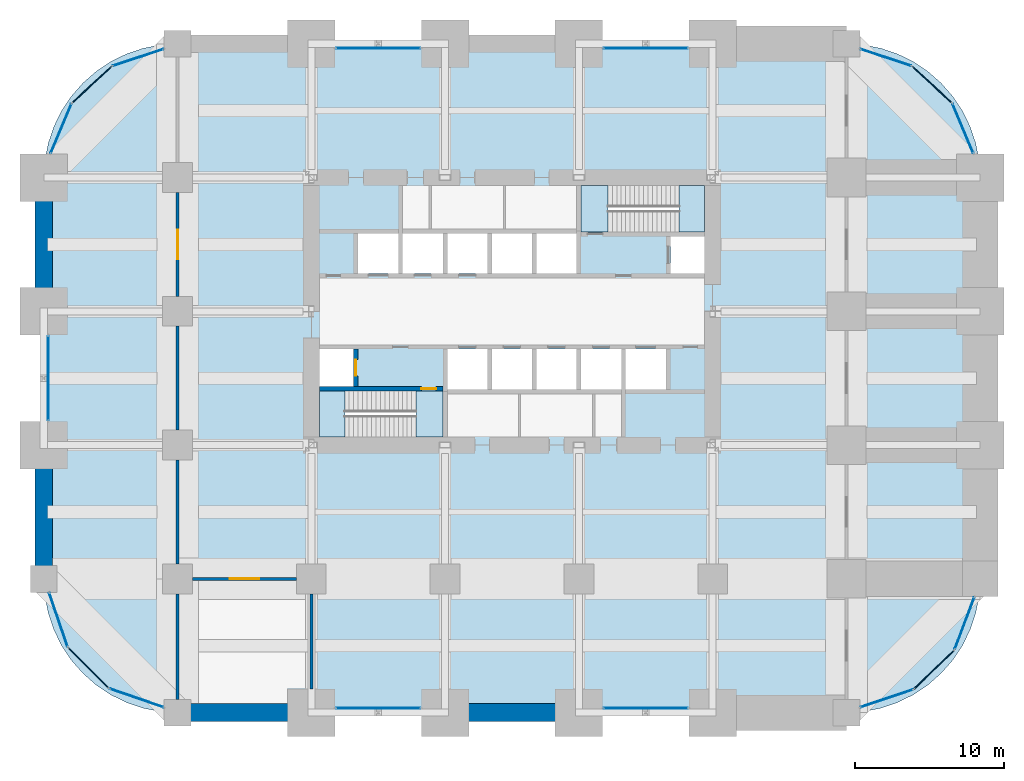
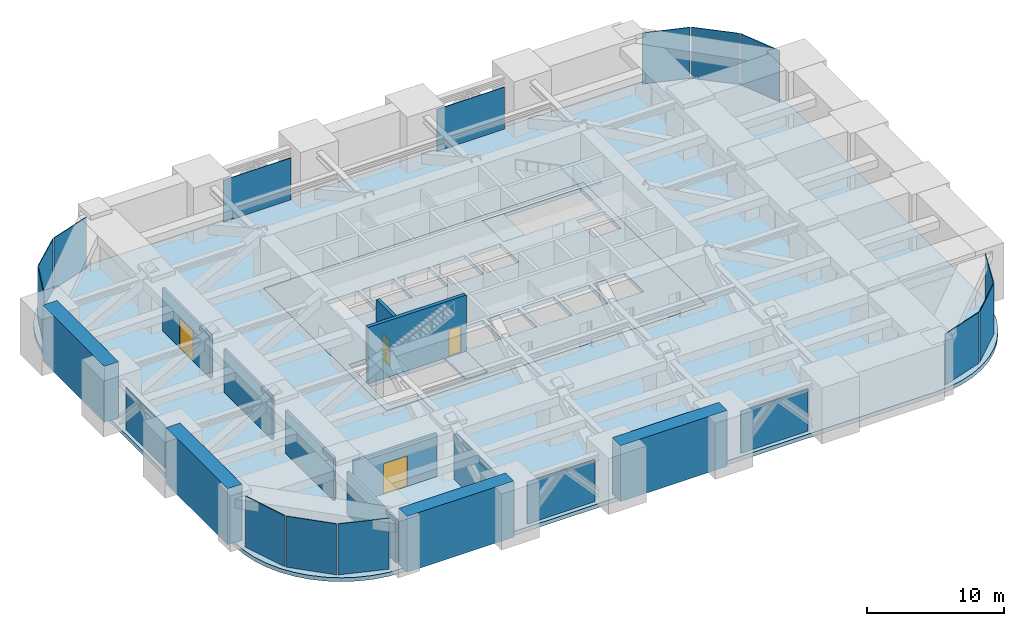
# One storey, part 35 of 38: 17 plates, 12 walls, 6 slabs, 4 doors, 4 openings, 19 elements without a shape of their own.
"""IFC4 building model written with IfcOpenShell, lengths in metres."""

from ifc_helpers import new_model, si_unit, direction, frame, frame_2d, origin, origin_2d, place, context, subcontext, project, spatial, polyline, rectangle, outline, extrude, material, layer, layer_set, type_object, element, fill, aggregate, save


model = new_model("IFC4")

# Units and contexts
model_context = context("Model", 3, precision=1e-05, world=origin(), true_north=direction((0.0, 1.0)))
body_context = subcontext(model_context, "Body", "Model", "MODEL_VIEW")
ifc_project = project(units=[si_unit("LENGTHUNIT", "METRE"), si_unit("AREAUNIT", "SQUARE_METRE"), si_unit("VOLUMEUNIT", "CUBIC_METRE"), si_unit("PLANEANGLEUNIT", "RADIAN"), si_unit("MASSUNIT", "GRAM", prefix="KILO")], contexts=[model_context])

# Site, building, storey
site_placement = place(None, origin())
site = spatial("IfcSite", under=ifc_project, at=site_placement, CompositionType="ELEMENT")
building_placement = place(site_placement, origin())
building = spatial("IfcBuilding", under=site, at=building_placement, Name="Zorevar Civic Tower", CompositionType="ELEMENT")
storey_placement = place(building_placement, frame((0.0, 0.0, 157.199951171875)))
storey = spatial("IfcBuildingStorey", under=building, at=storey_placement, Name="L38", CompositionType="ELEMENT", Elevation=157.199951171875)

# Curtain wall, plate
ifc_material_1 = material(Name="Black aluminium louvres", Category="aluminium")
curtain_wall_type = type_object("IfcCurtainWallType", Name="Louvred curtain wall CW6 refuge", PredefinedType="NOTDEFINED", material=ifc_material_1)
curtain_wall_1_placement = place(storey_placement, origin())
curtain_wall_1 = element("IfcCurtainWall", 1, at=curtain_wall_1_placement, inside=storey, type_object=curtain_wall_type, Name="CW6 L38", PredefinedType="NOTDEFINED")
ifc_material_2 = material(Name="Black aluminium louvre blades", Category="aluminium")
ifc_layer_1 = layer(ifc_material_2, 0.06005859375)
ifc_layer_set_1 = layer_set([ifc_layer_1], Name="CW6 panel 60")
plate_type = type_object("IfcPlateType", Name="CW6 panel 60", PredefinedType="CURTAIN_PANEL", material=ifc_layer_set_1)
plate_1_placement = place(storey_placement, frame((22.5, 0.300048828125, 0.06005859375), z_axis=(0.0, 0.0, 1.0), x_axis=(1.0, 0.0, 0.0)))
plate_1 = element("IfcPlate", 2, at=plate_1_placement, type_object=plate_type, Name="CW6 panel 1.1", PredefinedType="CURTAIN_PANEL", context=body_context, shape_type="SweptSolid", body=[
    extrude(rectangle(XDim=5.679931640625, YDim=0.06005859375, at=origin_2d()), origin(), (0.0, 0.0, 1.0), 3.739990234375),
])
aggregate(curtain_wall_1, [plate_1])

curtain_wall_2_placement = place(storey_placement, origin())
curtain_wall_2 = element("IfcCurtainWall", 3, at=curtain_wall_2_placement, inside=storey, type_object=curtain_wall_type, Name="CW6 L38", PredefinedType="NOTDEFINED")
plate_2_placement = place(storey_placement, frame((22.5, 44.699951171875, 0.06005859375), z_axis=(0.0, 0.0, 1.0), x_axis=(1.0, 0.0, 0.0)))
plate_2 = element("IfcPlate", 4, at=plate_2_placement, type_object=plate_type, Name="CW6 panel 1.1", PredefinedType="CURTAIN_PANEL", context=body_context, shape_type="SweptSolid", body=[
    extrude(rectangle(XDim=5.679931640625, YDim=0.06005859375, at=origin_2d()), origin(), (0.0, 0.0, 1.0), 3.739990234375),
])
aggregate(curtain_wall_2, [plate_2])

curtain_wall_3_placement = place(storey_placement, origin())
curtain_wall_3 = element("IfcCurtainWall", 5, at=curtain_wall_3_placement, inside=storey, type_object=curtain_wall_type, Name="CW6 L38", PredefinedType="NOTDEFINED")
plate_3_placement = place(storey_placement, frame((40.5, 0.300048828125, 0.06005859375), z_axis=(0.0, 0.0, 1.0), x_axis=(1.0, 0.0, 0.0)))
plate_3 = element("IfcPlate", 6, at=plate_3_placement, type_object=plate_type, Name="CW6 panel 1.1", PredefinedType="CURTAIN_PANEL", context=body_context, shape_type="SweptSolid", body=[
    extrude(rectangle(XDim=5.679931640625, YDim=0.06005859375, at=origin_2d()), origin(), (0.0, 0.0, 1.0), 3.739990234375),
])
aggregate(curtain_wall_3, [plate_3])

curtain_wall_4_placement = place(storey_placement, origin())
curtain_wall_4 = element("IfcCurtainWall", 7, at=curtain_wall_4_placement, inside=storey, type_object=curtain_wall_type, Name="CW6 L38", PredefinedType="NOTDEFINED")
plate_4_placement = place(storey_placement, frame((40.5, 44.699951171875, 0.06005859375), z_axis=(0.0, 0.0, 1.0), x_axis=(1.0, 0.0, 0.0)))
plate_4 = element("IfcPlate", 8, at=plate_4_placement, type_object=plate_type, Name="CW6 panel 1.1", PredefinedType="CURTAIN_PANEL", context=body_context, shape_type="SweptSolid", body=[
    extrude(rectangle(XDim=5.679931640625, YDim=0.06005859375, at=origin_2d()), origin(), (0.0, 0.0, 1.0), 3.739990234375),
])
aggregate(curtain_wall_4, [plate_4])

curtain_wall_5_placement = place(storey_placement, origin())
curtain_wall_5 = element("IfcCurtainWall", 9, at=curtain_wall_5_placement, inside=storey, type_object=curtain_wall_type, Name="CW6 L38", PredefinedType="NOTDEFINED")
plate_5_placement = place(storey_placement, frame((0.300048828125, 22.5, 0.06005859375), z_axis=(0.0, 0.0, 1.0), x_axis=(0.0, 1.0, 0.0)))
plate_5 = element("IfcPlate", 10, at=plate_5_placement, type_object=plate_type, Name="CW6 panel 1.1", PredefinedType="CURTAIN_PANEL", context=body_context, shape_type="SweptSolid", body=[
    extrude(rectangle(XDim=5.679931640625, YDim=0.06005859375, at=origin_2d()), origin(), (0.0, 0.0, 1.0), 3.739990234375),
])
aggregate(curtain_wall_5, [plate_5])

curtain_wall_6_placement = place(storey_placement, origin())
curtain_wall_6 = element("IfcCurtainWall", 11, at=curtain_wall_6_placement, inside=storey, type_object=curtain_wall_type, Name="CW6 L38", PredefinedType="NOTDEFINED")
plate_6_placement = place(storey_placement, frame((56.7109375, 0.95703125, 0.06005859375), z_axis=(0.0, 0.0, 1.0), x_axis=(0.947615765406, 0.319412525043, 0.0)))
plate_6 = element("IfcPlate", 12, at=plate_6_placement, type_object=plate_type, Name="CW6 panel 1.1", PredefinedType="CURTAIN_PANEL", context=body_context, shape_type="SweptSolid", body=[
    extrude(rectangle(XDim=3.7021484375, YDim=0.06005859375, at=origin_2d()), origin(), (0.0, 0.0, 1.0), 4.5400390625),
])
aggregate(curtain_wall_6, [plate_6])

curtain_wall_7_placement = place(storey_placement, origin())
curtain_wall_7 = element("IfcCurtainWall", 13, at=curtain_wall_7_placement, inside=storey, type_object=curtain_wall_type, Name="CW6 L38", PredefinedType="NOTDEFINED")
plate_7_placement = place(storey_placement, frame((59.896484375, 2.89501953125, 0.06005859375), z_axis=(0.0, 0.0, 1.0), x_axis=(0.719281160023, 0.694719089155, 0.0)))
plate_7 = element("IfcPlate", 14, at=plate_7_placement, type_object=plate_type, Name="CW6 panel 1.1", PredefinedType="CURTAIN_PANEL", context=body_context, shape_type="SweptSolid", body=[
    extrude(rectangle(XDim=3.7021484375, YDim=0.06005859375, at=origin_2d()), origin(), (0.0, 0.0, 1.0), 4.5400390625),
])
aggregate(curtain_wall_7, [plate_7])

curtain_wall_8_placement = place(storey_placement, origin())
curtain_wall_8 = element("IfcCurtainWall", 15, at=curtain_wall_8_placement, inside=storey, type_object=curtain_wall_type, Name="CW6 L38", PredefinedType="NOTDEFINED")
plate_8_placement = place(storey_placement, frame((61.94384765625, 6.011474609375, 0.06005859375), z_axis=(0.0, 0.0, 1.0), x_axis=(0.352131520999, 0.935950528564, 0.0)))
plate_8 = element("IfcPlate", 16, at=plate_8_placement, type_object=plate_type, Name="CW6 panel 1.1", PredefinedType="CURTAIN_PANEL", context=body_context, shape_type="SweptSolid", body=[
    extrude(rectangle(XDim=3.7021484375, YDim=0.06005859375, at=origin_2d()), origin(), (0.0, 0.0, 1.0), 4.5400390625),
])
aggregate(curtain_wall_8, [plate_8])

curtain_wall_9_placement = place(storey_placement, origin())
curtain_wall_9 = element("IfcCurtainWall", 17, at=curtain_wall_9_placement, inside=storey, type_object=curtain_wall_type, Name="CW6 L38", PredefinedType="NOTDEFINED")
plate_9_placement = place(storey_placement, frame((61.83544921875, 39.30029296875, 0.06005859375), z_axis=(0.0, 0.0, 1.0), x_axis=(-0.388184349349, 0.921581744025, 0.0)))
plate_9 = element("IfcPlate", 18, at=plate_9_placement, type_object=plate_type, Name="CW6 panel 1.1", PredefinedType="CURTAIN_PANEL", context=body_context, shape_type="SweptSolid", body=[
    extrude(rectangle(XDim=3.570068359375, YDim=0.06005859375, at=origin_2d()), origin(), (0.0, 0.0, 1.0), 4.5400390625),
])
aggregate(curtain_wall_9, [plate_9])

curtain_wall_10_placement = place(storey_placement, origin())
curtain_wall_10 = element("IfcCurtainWall", 19, at=curtain_wall_10_placement, inside=storey, type_object=curtain_wall_type, Name="CW6 L38", PredefinedType="NOTDEFINED")
plate_10_placement = place(storey_placement, frame((59.762451171875, 42.251220703125, 0.06005859375), z_axis=(0.0, 0.0, 1.0), x_axis=(-0.7352671134, 0.677777450165, 0.0)))
plate_10 = element("IfcPlate", 20, at=plate_10_placement, type_object=plate_type, Name="CW6 panel 1.1", PredefinedType="CURTAIN_PANEL", context=body_context, shape_type="SweptSolid", body=[
    extrude(rectangle(XDim=3.570068359375, YDim=0.06005859375, at=origin_2d()), origin(), (0.0, 0.0, 1.0), 4.5400390625),
])
aggregate(curtain_wall_10, [plate_10])

curtain_wall_11_placement = place(storey_placement, origin())
curtain_wall_11 = element("IfcCurtainWall", 21, at=curtain_wall_11_placement, inside=storey, type_object=curtain_wall_type, Name="CW6 L38", PredefinedType="NOTDEFINED")
plate_11_placement = place(storey_placement, frame((56.65283203125, 44.07763671875, 0.06005859375), z_axis=(0.0, 0.0, 1.0), x_axis=(-0.950070156117, 0.31203637361, 0.0)))
plate_11 = element("IfcPlate", 22, at=plate_11_placement, type_object=plate_type, Name="CW6 panel 1.1", PredefinedType="CURTAIN_PANEL", context=body_context, shape_type="SweptSolid", body=[
    extrude(rectangle(XDim=3.570068359375, YDim=0.06005859375, at=origin_2d()), origin(), (0.0, 0.0, 1.0), 4.5400390625),
])
aggregate(curtain_wall_11, [plate_11])

curtain_wall_12_placement = place(storey_placement, origin())
curtain_wall_12 = element("IfcCurtainWall", 23, at=curtain_wall_12_placement, inside=storey, type_object=curtain_wall_type, Name="CW6 L38", PredefinedType="NOTDEFINED")
plate_12_placement = place(storey_placement, frame((6.34716796875, 44.07763671875, 0.06005859375), z_axis=(0.0, 0.0, 1.0), x_axis=(-0.950070156117, -0.31203637361, 0.0)))
plate_12 = element("IfcPlate", 24, at=plate_12_placement, type_object=plate_type, Name="CW6 panel 1.1", PredefinedType="CURTAIN_PANEL", context=body_context, shape_type="SweptSolid", body=[
    extrude(rectangle(XDim=3.570068359375, YDim=0.06005859375, at=origin_2d()), origin(), (0.0, 0.0, 1.0), 4.5400390625),
])
aggregate(curtain_wall_12, [plate_12])

curtain_wall_13_placement = place(storey_placement, origin())
curtain_wall_13 = element("IfcCurtainWall", 25, at=curtain_wall_13_placement, inside=storey, type_object=curtain_wall_type, Name="CW6 L38", PredefinedType="NOTDEFINED")
plate_13_placement = place(storey_placement, frame((3.237548828125, 42.251220703125, 0.06005859375), z_axis=(0.0, 0.0, 1.0), x_axis=(-0.7352671134, -0.677777450165, 0.0)))
plate_13 = element("IfcPlate", 26, at=plate_13_placement, type_object=plate_type, Name="CW6 panel 1.1", PredefinedType="CURTAIN_PANEL", context=body_context, shape_type="SweptSolid", body=[
    extrude(rectangle(XDim=3.570068359375, YDim=0.06005859375, at=origin_2d()), origin(), (0.0, 0.0, 1.0), 4.5400390625),
])
aggregate(curtain_wall_13, [plate_13])

curtain_wall_14_placement = place(storey_placement, origin())
curtain_wall_14 = element("IfcCurtainWall", 27, at=curtain_wall_14_placement, inside=storey, type_object=curtain_wall_type, Name="CW6 L38", PredefinedType="NOTDEFINED")
plate_14_placement = place(storey_placement, frame((1.16455078125, 39.30029296875, 0.06005859375), z_axis=(0.0, 0.0, 1.0), x_axis=(-0.388184349349, -0.921581744025, 0.0)))
plate_14 = element("IfcPlate", 28, at=plate_14_placement, type_object=plate_type, Name="CW6 panel 1.1", PredefinedType="CURTAIN_PANEL", context=body_context, shape_type="SweptSolid", body=[
    extrude(rectangle(XDim=3.570068359375, YDim=0.06005859375, at=origin_2d()), origin(), (0.0, 0.0, 1.0), 4.5400390625),
])
aggregate(curtain_wall_14, [plate_14])

curtain_wall_15_placement = place(storey_placement, origin())
curtain_wall_15 = element("IfcCurtainWall", 29, at=curtain_wall_15_placement, inside=storey, type_object=curtain_wall_type, Name="CW6 L38", PredefinedType="NOTDEFINED")
plate_15_placement = place(storey_placement, frame((0.9833984375, 6.24609375, 0.06005859375), z_axis=(0.0, 0.0, 1.0), x_axis=(0.324878466857, -0.945755772794, 0.0)))
plate_15 = element("IfcPlate", 30, at=plate_15_placement, type_object=plate_type, Name="CW6 panel 1.1", PredefinedType="CURTAIN_PANEL", context=body_context, shape_type="SweptSolid", body=[
    extrude(rectangle(XDim=3.80029296875, YDim=0.06005859375, at=origin_2d()), origin(), (0.0, 0.0, 1.0), 4.5400390625),
])
aggregate(curtain_wall_15, [plate_15])

curtain_wall_16_placement = place(storey_placement, origin())
curtain_wall_16 = element("IfcCurtainWall", 31, at=curtain_wall_16_placement, inside=storey, type_object=curtain_wall_type, Name="CW6 L38", PredefinedType="NOTDEFINED")
plate_16_placement = place(storey_placement, frame((3.00634765625, 3.00634765625, 0.06005859375), z_axis=(0.0, 0.0, 1.0), x_axis=(0.707106781187, -0.707106781187, 0.0)))
plate_16 = element("IfcPlate", 32, at=plate_16_placement, type_object=plate_type, Name="CW6 panel 1.1", PredefinedType="CURTAIN_PANEL", context=body_context, shape_type="SweptSolid", body=[
    extrude(rectangle(XDim=3.80029296875, YDim=0.06005859375, at=origin_2d()), origin(), (0.0, 0.0, 1.0), 4.5400390625),
])
aggregate(curtain_wall_16, [plate_16])

curtain_wall_17_placement = place(storey_placement, origin())
curtain_wall_17 = element("IfcCurtainWall", 33, at=curtain_wall_17_placement, inside=storey, type_object=curtain_wall_type, Name="CW6 L38", PredefinedType="NOTDEFINED")
plate_17_placement = place(storey_placement, frame((6.24609375, 0.9833984375, 0.06005859375), z_axis=(0.0, 0.0, 1.0), x_axis=(0.945755772794, -0.324878466857, 0.0)))
plate_17 = element("IfcPlate", 34, at=plate_17_placement, type_object=plate_type, Name="CW6 panel 1.1", PredefinedType="CURTAIN_PANEL", context=body_context, shape_type="SweptSolid", body=[
    extrude(rectangle(XDim=3.80029296875, YDim=0.06005859375, at=origin_2d()), origin(), (0.0, 0.0, 1.0), 4.5400390625),
])
aggregate(curtain_wall_17, [plate_17])

# Slabs
ifc_material_3 = material(Name="Concrete C40/50", Category="concrete")
ifc_layer_2 = layer(ifc_material_3, 0.35009765625)
ifc_layer_set_2 = layer_set([ifc_layer_2], Name="Floor slab 350")
slab_type_1 = type_object("IfcSlabType", Name="Floor slab 350", PredefinedType="FLOOR", material=ifc_layer_set_2)
slab_1_placement = place(storey_placement, frame((0.0, 0.0, -0.349853515625)))
element("IfcSlab", 35, at=slab_1_placement, inside=storey, type_object=slab_type_1, Name="Floor slab L38", PredefinedType="FLOOR", context=body_context, shape_type="SweptSolid", body=[
    extrude(outline(polyline([(54.0, 0.0), (55.1748046875, 0.076904296875), (56.329345703125, 0.306640625), (57.444091796875, 0.68505859375), (58.5, 1.205810546875), (59.478759765625, 1.85986328125), (60.364013671875, 2.635986328125), (61.14013671875, 3.521240234375), (61.794189453125, 4.5), (62.31494140625, 5.555908203125), (62.693359375, 6.670654296875), (62.923095703125, 7.8251953125), (63.0, 9.0), (63.0, 36.0), (62.923095703125, 37.1748046875), (62.693359375, 38.329345703125), (62.31494140625, 39.444091796875), (61.794189453125, 40.5), (61.14013671875, 41.478759765625), (60.364013671875, 42.364013671875), (59.478759765625, 43.14013671875), (58.5, 43.794189453125), (57.444091796875, 44.31494140625), (56.329345703125, 44.693359375), (55.1748046875, 44.923095703125), (54.0, 45.0), (9.0, 45.0), (7.8251953125, 44.923095703125), (6.670654296875, 44.693359375), (5.555908203125, 44.31494140625), (4.5, 43.794189453125), (3.521240234375, 43.14013671875), (2.635986328125, 42.364013671875), (1.85986328125, 41.478759765625), (1.205810546875, 40.5), (0.68505859375, 39.444091796875), (0.306640625, 38.329345703125), (0.076904296875, 37.1748046875), (0.0, 36.0), (0.0, 9.0), (0.076904296875, 7.8251953125), (0.306640625, 6.670654296875), (0.68505859375, 5.555908203125), (1.205810546875, 4.5), (1.85986328125, 3.521240234375), (2.635986328125, 2.635986328125), (3.521240234375, 1.85986328125), (4.5, 1.205810546875), (5.555908203125, 0.68505859375), (6.670654296875, 0.306640625), (7.8251953125, 0.076904296875), (9.0, 0.0), (54.0, 0.0)]), holes=[polyline([(18.0, 18.0), (45.0, 18.0), (45.0, 36.0), (18.0, 36.0), (18.0, 18.0)])]), origin(), (0.0, 0.0, 1.0), 0.349853515625),
])
slab_2_placement = place(storey_placement, frame((0.0, 0.0, -0.349853515625)))
element("IfcSlab", 36, at=slab_2_placement, inside=storey, type_object=slab_type_1, Name="Core floor L38", PredefinedType="FLOOR", context=body_context, shape_type="SweptSolid", body=[
    extrude(outline(polyline([(18.0, 18.0), (45.0, 18.0), (45.0, 36.0), (18.0, 36.0), (18.0, 18.0)]), holes=[polyline([(18.550048828125, 18.550048828125), (26.85009765625, 18.550048828125), (26.85009765625, 21.64990234375), (18.550048828125, 21.64990234375), (18.550048828125, 18.550048828125)]), polyline([(36.14990234375, 32.35009765625), (44.449951171875, 32.35009765625), (44.449951171875, 35.449951171875), (36.14990234375, 35.449951171875), (36.14990234375, 32.35009765625)]), polyline([(18.550048828125, 21.949951171875), (20.85009765625, 21.949951171875), (20.85009765625, 24.449951171875), (18.550048828125, 24.449951171875), (18.550048828125, 21.949951171875)]), polyline([(42.14990234375, 29.550048828125), (44.449951171875, 29.550048828125), (44.449951171875, 32.050048828125), (42.14990234375, 32.050048828125), (42.14990234375, 29.550048828125)]), polyline([(27.14990234375, 21.75), (29.85009765625, 21.75), (29.85009765625, 24.449951171875), (27.14990234375, 24.449951171875), (27.14990234375, 21.75)]), polyline([(33.14990234375, 29.550048828125), (35.85009765625, 29.550048828125), (35.85009765625, 32.25), (33.14990234375, 32.25), (33.14990234375, 29.550048828125)]), polyline([(30.14990234375, 21.75), (32.85009765625, 21.75), (32.85009765625, 24.449951171875), (30.14990234375, 24.449951171875), (30.14990234375, 21.75)]), polyline([(30.14990234375, 29.550048828125), (32.85009765625, 29.550048828125), (32.85009765625, 32.25), (30.14990234375, 32.25), (30.14990234375, 29.550048828125)]), polyline([(33.14990234375, 21.75), (35.85009765625, 21.75), (35.85009765625, 24.449951171875), (33.14990234375, 24.449951171875), (33.14990234375, 21.75)]), polyline([(27.14990234375, 29.550048828125), (29.85009765625, 29.550048828125), (29.85009765625, 32.25), (27.14990234375, 32.25), (27.14990234375, 29.550048828125)]), polyline([(36.14990234375, 21.75), (38.85009765625, 21.75), (38.85009765625, 24.449951171875), (36.14990234375, 24.449951171875), (36.14990234375, 21.75)]), polyline([(24.14990234375, 29.550048828125), (26.85009765625, 29.550048828125), (26.85009765625, 32.25), (24.14990234375, 32.25), (24.14990234375, 29.550048828125)]), polyline([(39.14990234375, 21.75), (41.85009765625, 21.75), (41.85009765625, 24.449951171875), (39.14990234375, 24.449951171875), (39.14990234375, 21.75)]), polyline([(21.14990234375, 29.550048828125), (23.85009765625, 29.550048828125), (23.85009765625, 32.25), (21.14990234375, 32.25), (21.14990234375, 29.550048828125)])]), origin(), (0.0, 0.0, 1.0), 0.349853515625),
])

# Stair, slabs
ifc_material_4 = material(Name="Precast concrete C40/50", Category="concrete")
stair_type = type_object("IfcStairType", Name="Stair ST 34R", PredefinedType="HALF_TURN_STAIR", material=ifc_material_4)
stair_1_placement = place(storey_placement, origin())
stair_1 = element("IfcStair", 37, at=stair_1_placement, inside=storey, type_object=stair_type, Name="Stair ST1 L38", PredefinedType="HALF_TURN_STAIR")
ifc_material_5 = material(Name="Concrete C40/50", Category="concrete")
ifc_layer_3 = layer(ifc_material_5, 0.199951171875)
ifc_layer_set_3 = layer_set([ifc_layer_3], Name="Stair landing 200")
slab_type_2 = type_object("IfcSlabType", Name="Stair landing 200", PredefinedType="LANDING", material=ifc_layer_set_3)
slab_3_placement = place(storey_placement, frame((0.0, 0.0, -0.199951171875)))
slab_3 = element("IfcSlab", 38, at=slab_3_placement, type_object=slab_type_2, Name="ST1 landing 1", PredefinedType="LANDING", context=body_context, shape_type="SweptSolid", body=[
    extrude(outline(polyline([(25.050048828125, 18.550048828125), (26.85009765625, 18.550048828125), (26.85009765625, 21.64990234375), (25.050048828125, 21.64990234375), (25.050048828125, 18.550048828125)])), origin(), (0.0, 0.0, 1.0), 0.199951171875),
])
slab_4_placement = place(storey_placement, frame((0.0, 0.0, 2.300048828125)))
slab_4 = element("IfcSlab", 39, at=slab_4_placement, type_object=slab_type_2, Name="ST1 landing 2", PredefinedType="LANDING", context=body_context, shape_type="SweptSolid", body=[
    extrude(outline(polyline([(18.550048828125, 18.550048828125), (20.25, 18.550048828125), (20.25, 21.64990234375), (18.550048828125, 21.64990234375), (18.550048828125, 18.550048828125)])), origin(), (0.0, 0.0, 1.0), 0.199951171875),
])
aggregate(stair_1, [slab_3, slab_4])

stair_2_placement = place(storey_placement, origin())
stair_2 = element("IfcStair", 40, at=stair_2_placement, inside=storey, type_object=stair_type, Name="Stair ST2 L38", PredefinedType="HALF_TURN_STAIR")
slab_5_placement = place(storey_placement, frame((0.0, 0.0, -0.199951171875)))
slab_5 = element("IfcSlab", 41, at=slab_5_placement, type_object=slab_type_2, Name="ST2 landing 1", PredefinedType="LANDING", context=body_context, shape_type="SweptSolid", body=[
    extrude(outline(polyline([(37.949951171875, 32.35009765625), (36.14990234375, 32.35009765625), (36.14990234375, 35.449951171875), (37.949951171875, 35.449951171875), (37.949951171875, 32.35009765625)])), origin(), (0.0, 0.0, 1.0), 0.199951171875),
])
slab_6_placement = place(storey_placement, frame((0.0, 0.0, 2.300048828125)))
slab_6 = element("IfcSlab", 42, at=slab_6_placement, type_object=slab_type_2, Name="ST2 landing 2", PredefinedType="LANDING", context=body_context, shape_type="SweptSolid", body=[
    extrude(outline(polyline([(44.449951171875, 32.35009765625), (42.75, 32.35009765625), (42.75, 35.449951171875), (44.449951171875, 35.449951171875), (44.449951171875, 32.35009765625)])), origin(), (0.0, 0.0, 1.0), 0.199951171875),
])
aggregate(stair_2, [slab_5, slab_6])

# Walls
ifc_material_6 = material(Name="Concrete C50/60", Category="concrete")
ifc_layer_4 = layer(ifc_material_6, 1.199951171875)
ifc_layer_set_4 = layer_set([ifc_layer_4], Name="Belt wall 1200")
wall_type_1 = type_object("IfcWallType", Name="Belt wall 1200", PredefinedType="SHEAR", material=ifc_layer_set_4)
for number, where, z_axis, x_axis, name in (
    (43, (9.0, 0.0, 0.0), (0.0, 0.0, 1.0), (1.0, 0.0, 0.0), "Belt wall S L38"),
    (44, (27.0, 0.0, 0.0), (0.0, 0.0, 1.0), (1.0, 0.0, 0.0), "Belt wall S L38"),
    (45, (0.0, 9.0, 0.0), (0.0, 0.0, 1.0), (0.0, 1.0, 0.0), "Belt wall W L38"),
    (46, (0.0, 27.0, 0.0), (0.0, 0.0, 1.0), (0.0, 1.0, 0.0), "Belt wall W L38"),
):
    element("IfcWall", number, at=place(storey_placement, frame(where, z_axis=z_axis, x_axis=x_axis)), inside=storey, type_object=wall_type_1, Name=name, PredefinedType="SHEAR", context=body_context, shape_type="SweptSolid", body=[
        extrude(rectangle(XDim=9.0, YDim=1.199951171875, at=frame_2d((4.5, 0.0))), origin(), (0.0, 0.0, 1.0), 5.0),
    ])
ifc_material_7 = material(Name="Concrete blockwork", Category="masonry")
ifc_layer_5 = layer(ifc_material_7, 0.199951171875)
ifc_layer_set_5 = layer_set([ifc_layer_5], Name="Blockwork wall 200")
wall_type_2 = type_object("IfcWallType", Name="Blockwork wall 200", PredefinedType="SOLIDWALL", material=ifc_layer_set_5)
wall_1_placement = place(storey_placement, frame((9.0, 0.89990234375, 0.0), z_axis=(0.0, 0.0, 1.0), x_axis=(0.0, 1.0, 0.0)))
element("IfcWall", 47, at=wall_1_placement, inside=storey, type_object=wall_type_2, Name="Blockwork wall 200 L38", PredefinedType="SOLIDWALL", context=body_context, shape_type="SweptSolid", body=[
    extrude(rectangle(XDim=7.10009765625, YDim=0.199951171875, at=frame_2d((3.550048828125, 0.0))), origin(), (0.0, 0.0, 1.0), 3.800048828125),
])
for number, where, z_axis, x_axis, name in (
    (48, (9.0, 10.0, 0.0), (0.0, 0.0, 1.0), (0.0, 1.0, 0.0), "Blockwork wall 200 L38"),
    (49, (9.0, 19.0, 0.0), (0.0, 0.0, 1.0), (0.0, 1.0, 0.0), "Blockwork wall 200 L38"),
):
    element("IfcWall", number, at=place(storey_placement, frame(where, z_axis=z_axis, x_axis=x_axis)), inside=storey, type_object=wall_type_2, Name=name, PredefinedType="SOLIDWALL", context=body_context, shape_type="SweptSolid", body=[
        extrude(rectangle(XDim=7.0, YDim=0.199951171875, at=frame_2d((3.5, 0.0))), origin(), (0.0, 0.0, 1.0), 3.800048828125),
    ])

# Wall, opening, door
wall_2_placement = place(storey_placement, frame((9.0, 28.0, 0.0), z_axis=(0.0, 0.0, 1.0), x_axis=(0.0, 1.0, 0.0)))
wall_2 = element("IfcWall", 50, at=wall_2_placement, inside=storey, type_object=wall_type_2, Name="Blockwork wall 200 L38", PredefinedType="SOLIDWALL", context=body_context, shape_type="SweptSolid", body=[
    extrude(rectangle(XDim=7.0, YDim=0.199951171875, at=frame_2d((3.5, 0.0))), origin(), (0.0, 0.0, 1.0), 3.800048828125),
])
opening_1_placement = place(wall_2_placement, frame((2.5, 0.0, 0.0)))
opening_1 = element("IfcOpeningElement", 51, at=opening_1_placement, cuts=wall_2, Name="Opening L38.17", PredefinedType="OPENING", context=body_context, shape_type="SweptSolid", body=[
    extrude(rectangle(XDim=2.0, YDim=2.699951171875, at=frame_2d((1.0, 1.35009765625))), frame((0.0, 0.10986328125, 0.0), z_axis=(0.0, -1.0, 0.0), x_axis=(1.0, 0.0, 0.0)), (0.0, 0.0, 1.0), 0.219970703125),
])
ifc_material_8 = material(Name="Steel door set", Category="steel")
door_type_1 = type_object("IfcDoorType", Name="Plant room door PD1 2000x2700", OperationType="DOUBLE_DOOR_SINGLE_SWING", PredefinedType="DOOR", material=ifc_material_8)
door_1_placement = place(opening_1_placement, origin())
door_1 = element("IfcDoor", 52, at=door_1_placement, inside=storey, type_object=door_type_1, Name="Door L38 D0", OperationType="DOUBLE_DOOR_SINGLE_SWING", OverallHeight=2.699951171875, OverallWidth=2.0, PredefinedType="DOOR", context=body_context, shape_type="SweptSolid", body=[
    extrude(rectangle(XDim=2.0, YDim=2.699951171875, at=frame_2d((1.0, 1.35009765625))), frame((0.0, 0.030029296875, 0.0), z_axis=(0.0, -1.0, 0.0), x_axis=(1.0, 0.0, 0.0)), (0.0, 0.0, 1.0), 0.06005859375),
])
fill(opening_1, door_1)

# Wall
wall_3_placement = place(storey_placement, frame((18.0, 1.60009765625, 0.0), z_axis=(0.0, 0.0, 1.0), x_axis=(0.0, 1.0, 0.0)))
element("IfcWall", 53, at=wall_3_placement, inside=storey, type_object=wall_type_2, Name="Blockwork wall 200 L38", PredefinedType="SOLIDWALL", context=body_context, shape_type="SweptSolid", body=[
    extrude(rectangle(XDim=6.39990234375, YDim=0.199951171875, at=frame_2d((3.199951171875, 0.0))), origin(), (0.0, 0.0, 1.0), 4.0),
])

# Wall, opening, door
wall_4_placement = place(storey_placement, frame((10.0, 9.0, 0.0), z_axis=(0.0, 0.0, 1.0), x_axis=(1.0, 0.0, 0.0)))
wall_4 = element("IfcWall", 54, at=wall_4_placement, inside=storey, type_object=wall_type_2, Name="Blockwork wall 200 L38", PredefinedType="SOLIDWALL", context=body_context, shape_type="SweptSolid", body=[
    extrude(rectangle(XDim=7.0, YDim=0.199951171875, at=frame_2d((3.5, 0.0))), origin(), (0.0, 0.0, 1.0), 3.800048828125),
])
opening_2_placement = place(wall_4_placement, frame((2.5, 0.0, 0.0)))
opening_2 = element("IfcOpeningElement", 55, at=opening_2_placement, cuts=wall_4, Name="Opening L38.23", PredefinedType="OPENING", context=body_context, shape_type="SweptSolid", body=[
    extrude(rectangle(XDim=2.0, YDim=2.699951171875, at=frame_2d((1.0, 1.35009765625))), frame((0.0, 0.10986328125, 0.0), z_axis=(0.0, -1.0, 0.0), x_axis=(1.0, 0.0, 0.0)), (0.0, 0.0, 1.0), 0.219970703125),
])
door_2_placement = place(opening_2_placement, origin())
door_2 = element("IfcDoor", 56, at=door_2_placement, inside=storey, type_object=door_type_1, Name="Door L38 D9", OperationType="DOUBLE_DOOR_SINGLE_SWING", OverallHeight=2.699951171875, OverallWidth=2.0, PredefinedType="DOOR", context=body_context, shape_type="SweptSolid", body=[
    extrude(rectangle(XDim=2.0, YDim=2.699951171875, at=frame_2d((1.0, 1.35009765625))), frame((0.0, 0.030029296875, 0.0), z_axis=(0.0, -1.0, 0.0), x_axis=(1.0, 0.0, 0.0)), (0.0, 0.0, 1.0), 0.06005859375),
])
fill(opening_2, door_2)

ifc_material_9 = material(Name="Concrete C40/50", Category="concrete")
ifc_layer_6 = layer(ifc_material_9, 0.300048828125)
ifc_layer_set_6 = layer_set([ifc_layer_6], Name="Inner core wall 300")
wall_type_3 = type_object("IfcWallType", Name="Inner core wall 300", PredefinedType="SHEAR", material=ifc_layer_set_6)
wall_5_placement = place(storey_placement, frame((18.550048828125, 21.800048828125, 0.0), z_axis=(0.0, 0.0, 1.0), x_axis=(1.0, 0.0, 0.0)))
wall_5 = element("IfcWall", 57, at=wall_5_placement, inside=storey, type_object=wall_type_3, Name="Inner core wall S00 L38", PredefinedType="SHEAR", context=body_context, shape_type="SweptSolid", body=[
    extrude(rectangle(XDim=8.300048828125, YDim=0.300048828125, at=frame_2d((4.14990234375, 0.0))), origin(), (0.0, 0.0, 1.0), 5.0),
])
opening_3_placement = place(wall_5_placement, frame((6.85009765625, 0.0, 0.0)))
opening_3 = element("IfcOpeningElement", 58, at=opening_3_placement, cuts=wall_5, Name="Opening L38.11", PredefinedType="OPENING", context=body_context, shape_type="SweptSolid", body=[
    extrude(rectangle(XDim=1.0, YDim=2.39990234375, at=frame_2d((0.5, 1.199951171875))), frame((0.0, 0.159912109375, 0.0), z_axis=(0.0, -1.0, 0.0), x_axis=(1.0, 0.0, 0.0)), (0.0, 0.0, 1.0), 0.320068359375),
])
ifc_material_10 = material(Name="Steel door set", Category="steel")
door_type_2 = type_object("IfcDoorType", Name="Fire door FD1 1000x2400", OperationType="SINGLE_SWING_LEFT", PredefinedType="DOOR", material=ifc_material_10)
door_3_placement = place(opening_3_placement, origin())
door_3 = element("IfcDoor", 59, at=door_3_placement, inside=storey, type_object=door_type_2, Name="Door L38 10", OperationType="SINGLE_SWING_RIGHT", OverallHeight=2.39990234375, OverallWidth=1.0, PredefinedType="DOOR", context=body_context, shape_type="SweptSolid", body=[
    extrude(rectangle(XDim=1.0, YDim=2.39990234375, at=frame_2d((0.5, 1.199951171875))), frame((0.0, 0.030029296875, 0.0), z_axis=(0.0, -1.0, 0.0), x_axis=(1.0, 0.0, 0.0)), (0.0, 0.0, 1.0), 0.06005859375),
])
fill(opening_3, door_3)

wall_6_placement = place(storey_placement, frame((21.0, 21.949951171875, 0.0), z_axis=(0.0, 0.0, 1.0), x_axis=(0.0, 1.0, 0.0)))
wall_6 = element("IfcWall", 60, at=wall_6_placement, inside=storey, type_object=wall_type_3, Name="Inner core wall S02 L38", PredefinedType="SHEAR", context=body_context, shape_type="SweptSolid", body=[
    extrude(rectangle(XDim=2.5, YDim=0.300048828125, at=frame_2d((1.25, 0.0))), origin(), (0.0, 0.0, 1.0), 5.0),
])
opening_4_placement = place(wall_6_placement, frame((0.699951171875, 0.0, 0.0)))
opening_4 = element("IfcOpeningElement", 61, at=opening_4_placement, cuts=wall_6, Name="Opening L38.FL1", PredefinedType="OPENING", context=body_context, shape_type="SweptSolid", body=[
    extrude(rectangle(XDim=1.10009765625, YDim=2.39990234375, at=frame_2d((0.550048828125, 1.199951171875))), frame((0.0, 0.159912109375, 0.0), z_axis=(0.0, -1.0, 0.0), x_axis=(1.0, 0.0, 0.0)), (0.0, 0.0, 1.0), 0.320068359375),
])
ifc_material_11 = material(Name="Steel door set", Category="steel")
door_type_3 = type_object("IfcDoorType", Name="Firefighting lift landing door LD3 1100x2400", OperationType="DOUBLE_DOOR_SLIDING", PredefinedType="DOOR", material=ifc_material_11)
door_4_placement = place(opening_4_placement, origin())
door_4 = element("IfcDoor", 62, at=door_4_placement, inside=storey, type_object=door_type_3, Name="Landing door FL1 L38", OperationType="DOUBLE_DOOR_SLIDING", OverallHeight=2.39990234375, OverallWidth=1.10009765625, PredefinedType="DOOR", context=body_context, shape_type="SweptSolid", body=[
    extrude(rectangle(XDim=1.10009765625, YDim=2.39990234375, at=frame_2d((0.550048828125, 1.199951171875))), frame((0.0, 0.030029296875, 0.0), z_axis=(0.0, -1.0, 0.0), x_axis=(1.0, 0.0, 0.0)), (0.0, 0.0, 1.0), 0.06005859375),
])
fill(opening_4, door_4)

save(model, "model.ifc")
